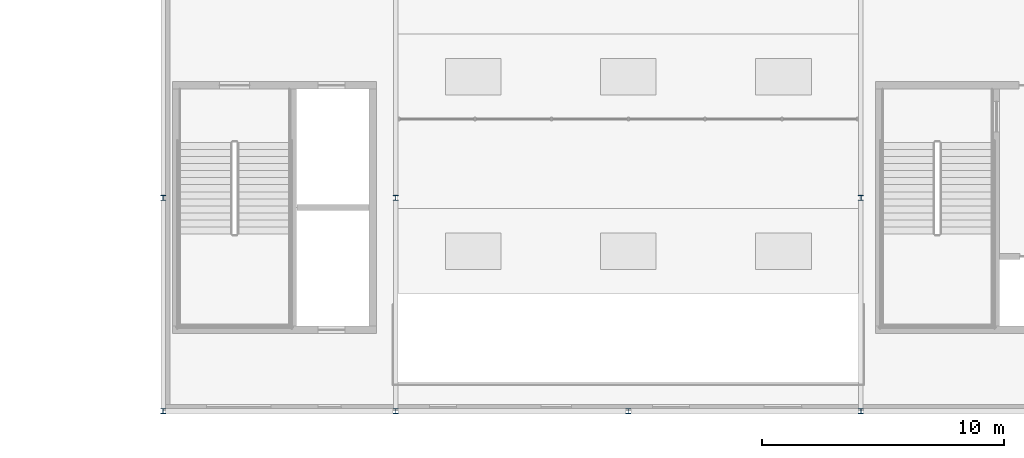
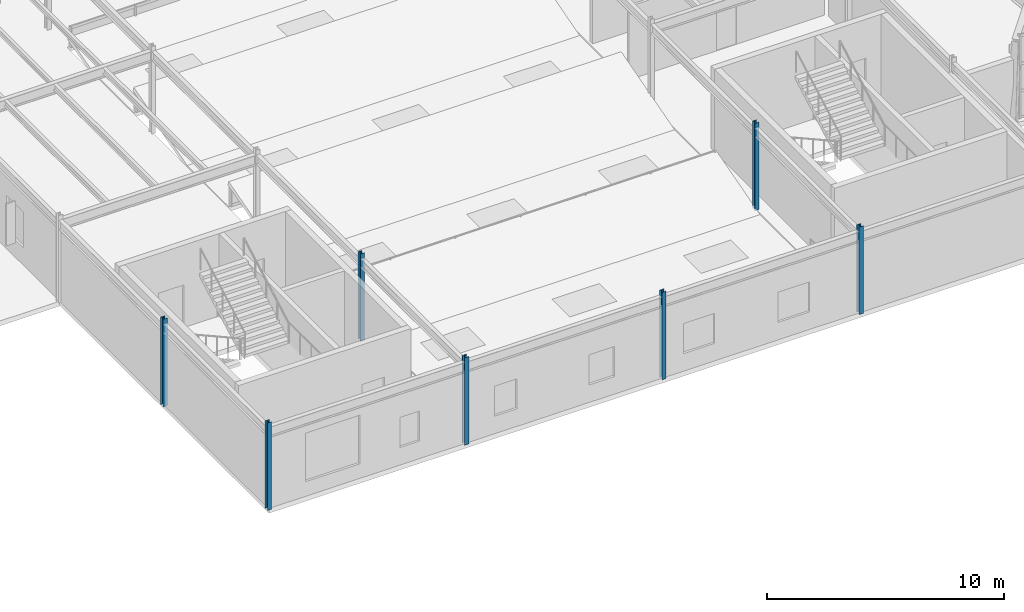
# One storey, part 1 of 50: 7 columns.
"""IFC4 building model written with IfcOpenShell, lengths in metres."""

from ifc_helpers import new_model, si_unit, direction, frame, origin, origin_2d, place, context, subcontext, project, spatial, i_section, extrude, material, material_profile, profile_set, type_object, element, save


model = new_model("IFC4")

# Units and contexts
model_context = context("Model", 3, precision=1e-05, world=origin(), true_north=direction((0.0, 1.0)))
body_context = subcontext(model_context, "Body", "Model", "MODEL_VIEW")
ifc_project = project(units=[si_unit("LENGTHUNIT", "METRE"), si_unit("AREAUNIT", "SQUARE_METRE"), si_unit("VOLUMEUNIT", "CUBIC_METRE"), si_unit("PLANEANGLEUNIT", "RADIAN"), si_unit("MASSUNIT", "GRAM", prefix="KILO")], contexts=[model_context])

# Site, building, storey
site_placement = place(None, origin())
site = spatial("IfcSite", under=ifc_project, at=site_placement, CompositionType="ELEMENT")
building_placement = place(site_placement, origin())
building = spatial("IfcBuilding", under=site, at=building_placement, Name="Sarnbrook Museum", CompositionType="ELEMENT")
storey_placement = place(building_placement, frame((0.0, 0.0, 28.10009765625)))
storey = spatial("IfcBuildingStorey", under=building, at=storey_placement, Name="L05", CompositionType="ELEMENT", Elevation=28.10009765625)

# Columns
ifc_material = material(Name="Structural Steel Grade 300PLUS (AS/NZS 3679.1, fy = 280 MPa for 17 < t <= 40 mm, 300 MPa for t <= 17 mm)", Category="steel")
ifc_material_profile = material_profile(ifc_material, i_section(OverallWidth=0.205078125, OverallDepth=0.2099609375, WebThickness=0.00927734375, FlangeThickness=0.01416015625, FilletRadius=0.01025390625, at=origin_2d()), Name="200UC59.5")
ifc_profile_set = profile_set([ifc_material_profile], Name="Structural Steel Grade 300PLUS (AS/NZS 3679.1, fy = 280 MPa for 17 < t <= 40 mm, 300 MPa for t <= 17 mm)")
column_type = type_object("IfcColumnType", Name="COL-UC200", PredefinedType="COLUMN", material=ifc_profile_set)
for number, where, z_axis, x_axis, name in (
    (1, (90.39990234375, 56.800048828125, 0.0), (0.0, 0.0, 1.0), (1.0, 0.0, 0.0), "Column 10-G L05"),
    (2, (90.39990234375, 65.60009765625, 0.0), (0.0, 0.0, 1.0), (1.0, 0.0, 0.0), "Column 10-H L05"),
    (3, (100.0, 56.800048828125, 0.0), (0.0, 0.0, 1.0), (1.0, 0.0, 0.0), "Column 11-G L05"),
    (4, (109.60009765625, 56.800048828125, 0.0), (0.0, 0.0, 1.0), (1.0, 0.0, 0.0), "Column 12-G L05"),
    (5, (109.60009765625, 65.60009765625, 0.0), (0.0, 0.0, 1.0), (1.0, 0.0, 0.0), "Column 12-H L05"),
    (6, (80.800048828125, 56.800048828125, 0.0), (0.0, 0.0, 1.0), (1.0, 0.0, 0.0), "Column 9-G L05"),
    (7, (80.800048828125, 65.60009765625, 0.0), (0.0, 0.0, 1.0), (1.0, 0.0, 0.0), "Column 9-H L05"),
):
    element("IfcColumn", number, at=place(storey_placement, frame(where, z_axis=z_axis, x_axis=x_axis)), inside=storey, type_object=column_type, Name=name, PredefinedType="COLUMN", context=body_context, shape_type="SweptSolid", body=[
        extrude(i_section(OverallWidth=0.205078125, OverallDepth=0.2099609375, WebThickness=0.00927734375, FlangeThickness=0.01416015625, FilletRadius=0.01025390625, at=origin_2d()), origin(), (0.0, 0.0, 1.0), 4.5),
    ])

save(model, "model.ifc")
